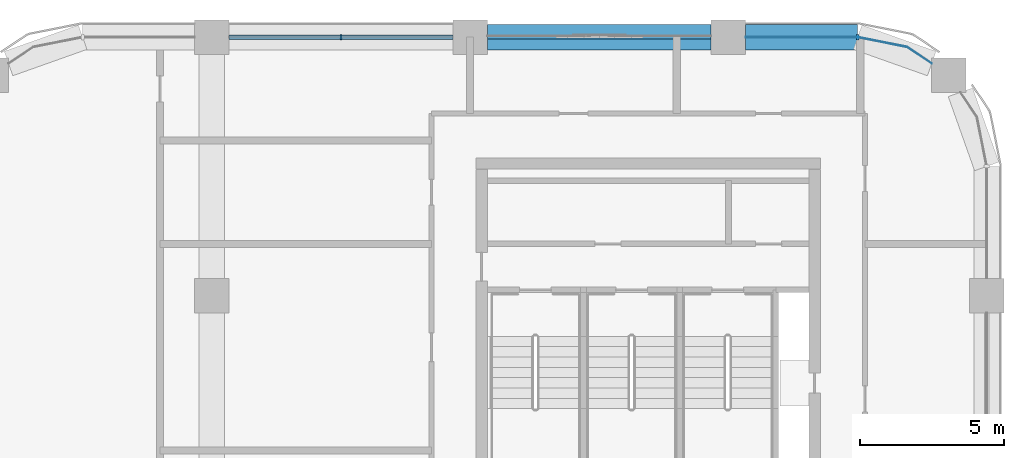
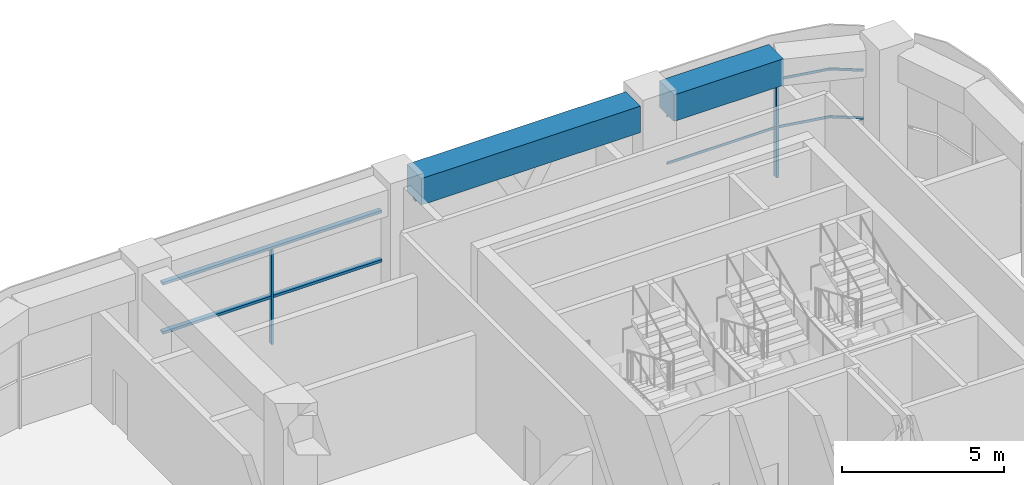
# One storey, part 4 of 15: 7 members, 2 beams, 3 elements without a shape of their own.
"""IFC4 building model written with IfcOpenShell, lengths in metres."""

from ifc_helpers import new_model, si_unit, direction, frame, origin, origin_2d, place, context, subcontext, project, spatial, polyline, rectangle, outline, extrude, material, material_profile, profile_set, type_object, element, aggregate, save


model = new_model("IFC4")

# Units and contexts
model_context = context("Model", 3, precision=1e-05, world=origin(), true_north=direction((0.0, 1.0)))
body_context = subcontext(model_context, "Body", "Model", "MODEL_VIEW")
ifc_project = project(units=[si_unit("LENGTHUNIT", "METRE"), si_unit("AREAUNIT", "SQUARE_METRE"), si_unit("VOLUMEUNIT", "CUBIC_METRE"), si_unit("PLANEANGLEUNIT", "RADIAN"), si_unit("MASSUNIT", "GRAM", prefix="KILO")], contexts=[model_context])

# Site, building, storey
site_placement = place(None, origin())
site = spatial("IfcSite", under=ifc_project, at=site_placement, CompositionType="ELEMENT")
building_placement = place(site_placement, origin())
building = spatial("IfcBuilding", under=site, at=building_placement, Name="Tessera Arch", CompositionType="ELEMENT")
storey_placement = place(building_placement, frame((0.0, 0.0, 285.199951171875)))
storey = spatial("IfcBuildingStorey", under=building, at=storey_placement, Name="L69", CompositionType="ELEMENT", Elevation=285.199951171875)

# Curtain wall, members
ifc_material_1 = material(Name="CW1 curtain wall")
curtain_wall_type_1 = type_object("IfcCurtainWallType", Name="CW1 curtain wall", PredefinedType="NOTDEFINED", material=ifc_material_1)
curtain_wall_1_placement = place(storey_placement, origin())
curtain_wall_1 = element("IfcCurtainWall", 1, at=curtain_wall_1_placement, inside=storey, type_object=curtain_wall_type_1, Name="CW1 curtain wall N54.18/2 L69", PredefinedType="NOTDEFINED")
ifc_material_2 = material(Name="Anodised aluminium pale metal", Category="aluminium")
ifc_material_profile_1 = material_profile(ifc_material_2, rectangle(XDim=0.159912109375, YDim=0.06005859375, at=origin_2d()), Name="AL 60x160")
ifc_profile_set_1 = profile_set([ifc_material_profile_1], Name="Anodised aluminium pale metal")
member_type_1 = type_object("IfcMemberType", Name="CW1 mullion", PredefinedType="MULLION", material=ifc_profile_set_1)
member_1_placement = place(storey_placement, frame((31.5, 54.0, 0.0), z_axis=(0.0, 0.0, 1.0), x_axis=(0.0, -1.0, 0.0)))
member_1 = element("IfcMember", 2, at=member_1_placement, type_object=member_type_1, Name="CW1 mullion N54.18/2 1", PredefinedType="MULLION", context=body_context, shape_type="SweptSolid", body=[
    extrude(rectangle(XDim=0.159912109375, YDim=0.06005859375, at=origin_2d()), origin(), (0.0, 0.0, 1.0), 3.60009765625),
])
ifc_material_3 = material(Name="Anodised aluminium pale metal", Category="aluminium")
ifc_material_profile_2 = material_profile(ifc_material_3, rectangle(XDim=0.159912109375, YDim=0.10009765625, at=origin_2d()), Name="AL 160x100")
ifc_profile_set_2 = profile_set([ifc_material_profile_2], Name="Anodised aluminium pale metal")
member_type_2 = type_object("IfcMemberType", Name="CW1 transom", PredefinedType="USERDEFINED", material=ifc_profile_set_2)
member_2_placement = place(storey_placement, frame((35.39990234375, 54.0, 3.650146484375), z_axis=(-1.0, 0.0, 0.0), x_axis=(0.0, -1.0, 0.0)))
member_2 = element("IfcMember", 3, at=member_2_placement, type_object=member_type_2, Name="CW1 transom N54.18/2 1.1", ObjectType="TRANSOM", PredefinedType="USERDEFINED", context=body_context, shape_type="SweptSolid", body=[
    extrude(rectangle(XDim=0.159912109375, YDim=0.10009765625, at=origin_2d()), origin(), (0.0, 0.0, 1.0), 7.7998046875),
])
member_3_placement = place(storey_placement, frame((35.39990234375, 54.0, 1.800048828125), z_axis=(-1.0, 0.0, 0.0), x_axis=(0.0, -1.0, 0.0)))
member_3 = element("IfcMember", 4, at=member_3_placement, type_object=member_type_2, Name="CW1 transom N54.18/2 2.1", ObjectType="TRANSOM", PredefinedType="USERDEFINED", context=body_context, shape_type="SweptSolid", body=[
    extrude(rectangle(XDim=0.159912109375, YDim=0.10009765625, at=origin_2d()), origin(), (0.0, 0.0, 1.0), 7.7998046875),
])
aggregate(curtain_wall_1, [member_1, member_2, member_3])

ifc_material_4 = material(Name="CW2 curtain wall")
curtain_wall_type_2 = type_object("IfcCurtainWallType", Name="CW2 curtain wall", PredefinedType="NOTDEFINED", material=ifc_material_4)
curtain_wall_2_placement = place(storey_placement, origin())
curtain_wall_2 = element("IfcCurtainWall", 5, at=curtain_wall_2_placement, inside=storey, type_object=curtain_wall_type_2, Name="CW2 curtain wall N54.18/0 L69", PredefinedType="NOTDEFINED")
ifc_material_5 = material(Name="Anodised aluminium pale metal", Category="aluminium")
ifc_material_profile_3 = material_profile(ifc_material_5, rectangle(XDim=0.199951171875, YDim=0.080078125, at=origin_2d()), Name="AL 80x200")
ifc_profile_set_3 = profile_set([ifc_material_profile_3], Name="Anodised aluminium pale metal")
member_type_3 = type_object("IfcMemberType", Name="CW2 mullion", PredefinedType="MULLION", material=ifc_profile_set_3)
member_4_placement = place(storey_placement, frame((49.5, 54.0, 0.0), z_axis=(0.0, 0.0, 1.0), x_axis=(0.0, -1.0, 0.0)))
member_4 = element("IfcMember", 6, at=member_4_placement, type_object=member_type_3, Name="CW2 mullion N54.18/0 1", PredefinedType="MULLION", context=body_context, shape_type="SweptSolid", body=[
    extrude(rectangle(XDim=0.199951171875, YDim=0.080078125, at=origin_2d()), origin(), (0.0, 0.0, 1.0), 3.60009765625),
])
ifc_material_6 = material(Name="Anodised aluminium pale metal", Category="aluminium")
ifc_material_profile_4 = material_profile(ifc_material_6, rectangle(XDim=0.199951171875, YDim=0.10009765625, at=origin_2d()), Name="AL 200x100")
ifc_profile_set_4 = profile_set([ifc_material_profile_4], Name="Anodised aluminium pale metal")
member_type_4 = type_object("IfcMemberType", Name="CW2 transom", PredefinedType="USERDEFINED", material=ifc_profile_set_4)
member_5_placement = place(storey_placement, frame((0.0, 0.0, 1.800048828125)))
member_5 = element("IfcMember", 7, at=member_5_placement, type_object=member_type_4, Name="CW2 transom N54.18/0 1", ObjectType="TRANSOM", PredefinedType="USERDEFINED", context=body_context, shape_type="SweptSolid", body=[
    extrude(outline(polyline([(51.21826171875, 53.648193359375), (52.076416015625, 53.07470703125), (52.087646484375, 53.09130859375), (51.22607421875, 53.6669921875), (49.5009765625, 54.010009765625), (45.60009765625, 54.010009765625), (45.60009765625, 53.989990234375), (49.4990234375, 53.989990234375), (51.21826171875, 53.648193359375)])), origin(), (0.0, 0.0, 1.0), 0.10009765625),
])
member_6_placement = place(storey_placement, frame((0.0, 0.0, 3.60009765625)))
member_6 = element("IfcMember", 8, at=member_6_placement, type_object=member_type_4, Name="CW2 transom N54.18/0 2", ObjectType="TRANSOM", PredefinedType="USERDEFINED", context=body_context, shape_type="SweptSolid", body=[
    extrude(outline(polyline([(51.21826171875, 53.648193359375), (52.076416015625, 53.07470703125), (52.087646484375, 53.09130859375), (51.22607421875, 53.6669921875), (49.5009765625, 54.010009765625), (45.60009765625, 54.010009765625), (45.60009765625, 53.989990234375), (49.4990234375, 53.989990234375), (51.21826171875, 53.648193359375)])), origin(), (0.0, 0.0, 1.0), 0.099853515625),
])
aggregate(curtain_wall_2, [member_4, member_5, member_6])

# Curtain wall, member
ifc_material_7 = material(Name="CW3 curtain wall")
curtain_wall_type_3 = type_object("IfcCurtainWallType", Name="CW3 curtain wall", PredefinedType="NOTDEFINED", material=ifc_material_7)
curtain_wall_3_placement = place(storey_placement, origin())
curtain_wall_3 = element("IfcCurtainWall", 9, at=curtain_wall_3_placement, inside=storey, type_object=curtain_wall_type_3, Name="CW3 curtain wall N54.18/1 L69", PredefinedType="NOTDEFINED")
ifc_material_8 = material(Name="Anodised aluminium pale metal", Category="aluminium")
ifc_material_profile_5 = material_profile(ifc_material_8, rectangle(XDim=0.139892578125, YDim=0.10009765625, at=origin_2d()), Name="AL 140x100")
ifc_profile_set_5 = profile_set([ifc_material_profile_5], Name="Anodised aluminium pale metal")
member_type_5 = type_object("IfcMemberType", Name="CW3 transom", PredefinedType="USERDEFINED", material=ifc_profile_set_5)
member_7_placement = place(storey_placement, frame((44.39990234375, 54.0, 3.650146484375), z_axis=(-1.0, 0.0, 0.0), x_axis=(0.0, -1.0, 0.0)))
member_7 = element("IfcMember", 10, at=member_7_placement, type_object=member_type_5, Name="CW3 transom N54.18/1 1.1", ObjectType="TRANSOM", PredefinedType="USERDEFINED", context=body_context, shape_type="SweptSolid", body=[
    extrude(rectangle(XDim=0.139892578125, YDim=0.10009765625, at=origin_2d()), origin(), (0.0, 0.0, 1.0), 7.7998046875),
])
aggregate(curtain_wall_3, [member_7])

# Beams
ifc_material_9 = material(Name="Concrete C60/75", Category="concrete")
ifc_material_profile_6 = material_profile(ifc_material_9, rectangle(XDim=0.89990234375, YDim=1.0, at=origin_2d()), Name="RC spandrel beam 900 x 1000 Concrete C60/75")
ifc_profile_set_6 = profile_set([ifc_material_profile_6], Name="Concrete C60/75")
beam_type = type_object("IfcBeamType", Name="RC spandrel beam 900 x 1000 Concrete C60/75", PredefinedType="BEAM", material=ifc_profile_set_6)
beam_1_placement = place(storey_placement, frame((49.5, 54.0, 4.199951171875), z_axis=(-1.0, 0.0, 0.0), x_axis=(0.0, -1.0, 0.0)))
element("IfcBeam", 11, at=beam_1_placement, inside=storey, type_object=beam_type, Name="Spandrel beam L69 N54.18/0.2", PredefinedType="BEAM", context=body_context, shape_type="SweptSolid", body=[
    extrude(rectangle(XDim=0.89990234375, YDim=1.0, at=origin_2d()), origin(), (0.0, 0.0, 1.0), 3.89990234375),
])
beam_2_placement = place(storey_placement, frame((44.39990234375, 54.0, 4.199951171875), z_axis=(-1.0, 0.0, 0.0), x_axis=(0.0, -1.0, 0.0)))
element("IfcBeam", 12, at=beam_2_placement, inside=storey, type_object=beam_type, Name="Spandrel beam L69 N54.18/1", PredefinedType="BEAM", context=body_context, shape_type="SweptSolid", body=[
    extrude(rectangle(XDim=0.89990234375, YDim=1.0, at=origin_2d()), origin(), (0.0, 0.0, 1.0), 7.7998046875),
])

save(model, "model.ifc")
